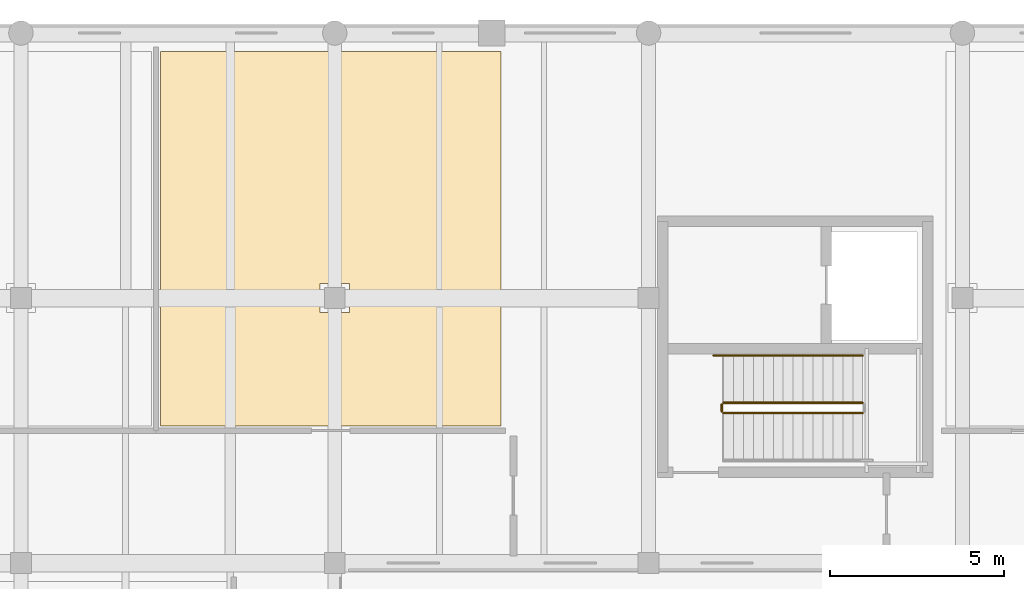
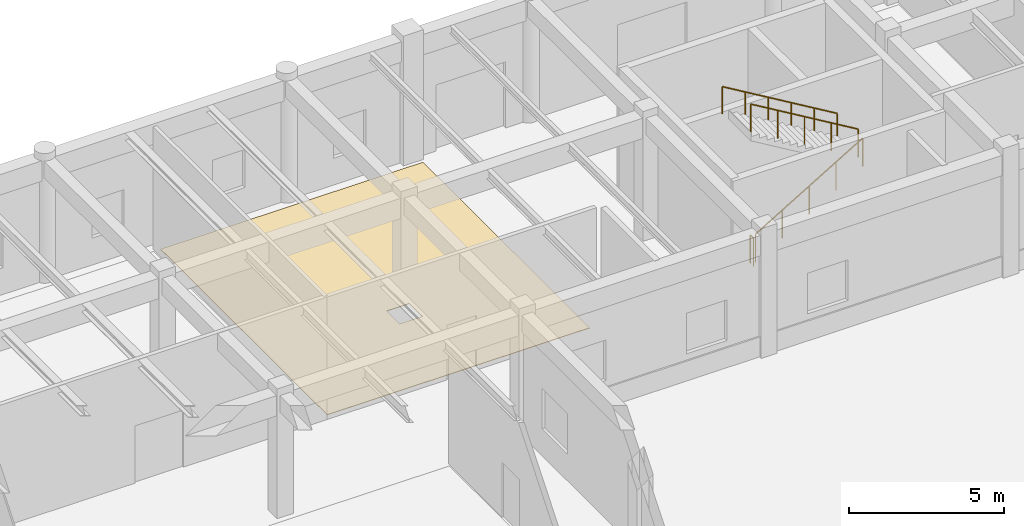
# One storey, part 57 of 64: 4 railings, 1 covering.
"""IFC4 building model written with IfcOpenShell, lengths in metres."""

from ifc_helpers import new_model, si_unit, direction, frame, origin, origin_2d, place, context, subcontext, project, spatial, polyline, circle, outline, extrude, material, layer, layer_set, type_object, element, save


model = new_model("IFC4")

# Units and contexts
model_context = context("Model", 3, precision=1e-05, world=origin(), true_north=direction((0.0, 1.0)))
body_context = subcontext(model_context, "Body", "Model", "MODEL_VIEW")
ifc_project = project(units=[si_unit("LENGTHUNIT", "METRE"), si_unit("AREAUNIT", "SQUARE_METRE"), si_unit("VOLUMEUNIT", "CUBIC_METRE"), si_unit("PLANEANGLEUNIT", "RADIAN"), si_unit("MASSUNIT", "GRAM", prefix="KILO")], contexts=[model_context])

# Site, building, storey
site_placement = place(None, origin())
site = spatial("IfcSite", under=ifc_project, at=site_placement, CompositionType="ELEMENT")
building_placement = place(site_placement, origin())
building = spatial("IfcBuilding", under=site, at=building_placement, Name="Montealbar Specialist Clinic", CompositionType="ELEMENT")
storey_placement = place(building_placement, origin())
storey = spatial("IfcBuildingStorey", under=building, at=storey_placement, Name="L00", CompositionType="ELEMENT", Elevation=0.0)

# Covering
ifc_material_1 = material(Name="Antimicrobial clinical linoleum", Category="wood")
ifc_layer_1 = layer(ifc_material_1, 0.02001953125, Name="Antimicrobial clinical linoleum", Category="wood")
ifc_layer_set_1 = layer_set([ifc_layer_1], Name="Antimicrobial clinical linoleum")
covering_type = type_object("IfcCoveringType", Name="COV-FLR-LINOLEUM", PredefinedType="FLOORING", material=ifc_layer_set_1)
covering_placement = place(storey_placement, origin())
element("IfcCovering", 1, at=covering_placement, inside=storey, type_object=covering_type, Name="Clinical Flooring Pharmacotherapy Consulting Room 01", PredefinedType="FLOORING", context=body_context, shape_type="SweptSolid", body=[
    extrude(outline(polyline([(13.0048828125, 110.469970703125), (22.77001953125, 110.469970703125), (22.77001953125, 99.72998046875), (13.0048828125, 99.72998046875), (13.0048828125, 110.469970703125)]), holes=[polyline([(18.419921875, 103.820068359375), (17.580078125, 103.820068359375), (17.580078125, 102.97998046875), (18.419921875, 102.97998046875), (18.419921875, 103.820068359375)])]), origin(), (0.0, 0.0, 1.0), 0.02001953125),
])

# Railings
ifc_material_2 = material(Name="Steel S355", Category="steel")
ifc_layer_2 = layer(ifc_material_2, 0.050048828125, Name="Steel S355", Category="steel")
ifc_layer_set_2 = layer_set([ifc_layer_2], Name="Steel S355")
railing_type_1 = type_object("IfcRailingType", Name="RAIL-STAIR-BAL-1100", PredefinedType="BALUSTRADE", material=ifc_layer_set_2)
railing_1_placement = place(storey_placement, frame((29.14990234375, 100.10009765625, 0.169921875)))
element("IfcRailing", 2, at=railing_1_placement, inside=storey, type_object=railing_type_1, Name="L00 ST-02 stair guard 1", PredefinedType="BALUSTRADE", context=body_context, shape_type="SweptSolid", body=[
    extrude(circle(Radius=0.02392578125, at=origin_2d()), frame((0.0, 0.0, 1.076171875), z_axis=(0.858806931142, 0.0, 0.512299380267), x_axis=(0.0, 1.0, 0.0)), (0.0, 0.0, 1.0), 4.64599609375),
    extrude(circle(Radius=0.02099609375, at=origin_2d()), frame((0.0, 0.0, -0.02490234375)), (0.0, 0.0, 1.0), 1.076904296875),
    extrude(circle(Radius=0.02099609375, at=origin_2d()), frame((0.99755859375, 0.0, 0.570068359375)), (0.0, 0.0, 1.0), 1.076904296875),
    extrude(circle(Radius=0.02099609375, at=origin_2d()), frame((1.9951171875, 0.0, 1.1650390625)), (0.0, 0.0, 1.0), 1.076904296875),
    extrude(circle(Radius=0.02099609375, at=origin_2d()), frame((2.992431640625, 0.0, 1.760009765625)), (0.0, 0.0, 1.0), 1.076904296875),
    extrude(circle(Radius=0.02099609375, at=origin_2d()), frame((3.989990234375, 0.0, 2.355224609375)), (0.0, 0.0, 1.0), 1.076904296875),
])
railing_2_placement = place(storey_placement, frame((33.139892578125, 100.39990234375, 2.719970703125)))
element("IfcRailing", 3, at=railing_2_placement, inside=storey, type_object=railing_type_1, Name="L00 ST-02 stair guard 3", PredefinedType="BALUSTRADE", context=body_context, shape_type="SweptSolid", body=[
    extrude(circle(Radius=0.02392578125, at=origin_2d()), frame((0.0, 0.0, 1.076171875), z_axis=(-0.858806931142, 0.0, 0.512299380267), x_axis=(0.0, -1.0, 0.0)), (0.0, 0.0, 1.0), 4.64599609375),
    extrude(circle(Radius=0.02099609375, at=origin_2d()), frame((0.0, 0.0, -0.02490234375)), (0.0, 0.0, 1.0), 1.076904296875),
    extrude(circle(Radius=0.02099609375, at=origin_2d()), frame((-0.99755859375, 0.0, 0.570068359375)), (0.0, 0.0, 1.0), 1.076904296875),
    extrude(circle(Radius=0.02099609375, at=origin_2d()), frame((-1.9951171875, 0.0, 1.1650390625)), (0.0, 0.0, 1.0), 1.076904296875),
    extrude(circle(Radius=0.02099609375, at=origin_2d()), frame((-2.992431640625, 0.0, 1.760009765625)), (0.0, 0.0, 1.0), 1.076904296875),
    extrude(circle(Radius=0.02099609375, at=origin_2d()), frame((-3.989990234375, 0.0, 2.355224609375)), (0.0, 0.0, 1.0), 1.076904296875),
])
railing_3_placement = place(storey_placement, frame((29.10009765625, 100.14990234375, 0.0)))
element("IfcRailing", 4, at=railing_3_placement, inside=storey, type_object=railing_type_1, Name="L00 ST-02 stair guard 4", PredefinedType="BALUSTRADE", context=body_context, shape_type="SweptSolid", body=[
    extrude(circle(Radius=0.02392578125, at=origin_2d()), frame((0.0, 0.0, 1.076171875), z_axis=(0.0, 1.0, 0.0), x_axis=(-1.0, 0.0, 0.0)), (0.0, 0.0, 1.0), 0.2001953125),
    extrude(circle(Radius=0.02099609375, at=origin_2d()), frame((0.0, 0.0, -0.02490234375)), (0.0, 0.0, 1.0), 1.076904296875),
    extrude(circle(Radius=0.02099609375, at=origin_2d()), frame((0.0, 0.2001953125, -0.02490234375)), (0.0, 0.0, 1.0), 1.076904296875),
])
ifc_layer_3 = layer(ifc_material_2, 0.044921875, Name="Steel S355", Category="steel")
ifc_layer_set_3 = layer_set([ifc_layer_3], Name="Steel S355")
railing_type_2 = type_object("IfcRailingType", Name="RAIL-STAIR-HR-900", PredefinedType="HANDRAIL", material=ifc_layer_set_3)
railing_4_placement = place(storey_placement, frame((33.139892578125, 101.75, 2.719970703125)))
element("IfcRailing", 5, at=railing_4_placement, inside=storey, type_object=railing_type_2, Name="L00 ST-02 stair handrail 2", PredefinedType="HANDRAIL", context=body_context, shape_type="SweptSolid", body=[
    extrude(circle(Radius=0.02392578125, at=origin_2d()), frame((0.0, 0.0, 0.8759765625), z_axis=(-0.858810040619, 0.0, 0.512294167576), x_axis=(0.0, -1.0, 0.0)), (0.0, 0.0, 1.0), 4.977783203125),
    extrude(circle(Radius=0.02099609375, at=origin_2d()), frame((0.0, 0.0, -0.02490234375)), (0.0, 0.0, 1.0), 0.876708984375),
    extrude(circle(Radius=0.02099609375, at=origin_2d()), frame((-0.85498046875, 0.0, 0.485107421875)), (0.0, 0.0, 1.0), 0.876708984375),
    extrude(circle(Radius=0.02099609375, at=origin_2d()), frame((-1.7099609375, 0.0, 0.9951171875)), (0.0, 0.0, 1.0), 0.876708984375),
    extrude(circle(Radius=0.02099609375, at=origin_2d()), frame((-2.56494140625, 0.0, 1.505126953125)), (0.0, 0.0, 1.0), 0.876708984375),
    extrude(circle(Radius=0.02099609375, at=origin_2d()), frame((-3.419921875, 0.0, 2.01513671875)), (0.0, 0.0, 1.0), 0.876708984375),
    extrude(circle(Radius=0.02099609375, at=origin_2d()), frame((-4.27490234375, 0.0, 2.355224609375)), (0.0, 0.0, 1.0), 1.046630859375),
])

save(model, "model.ifc")
